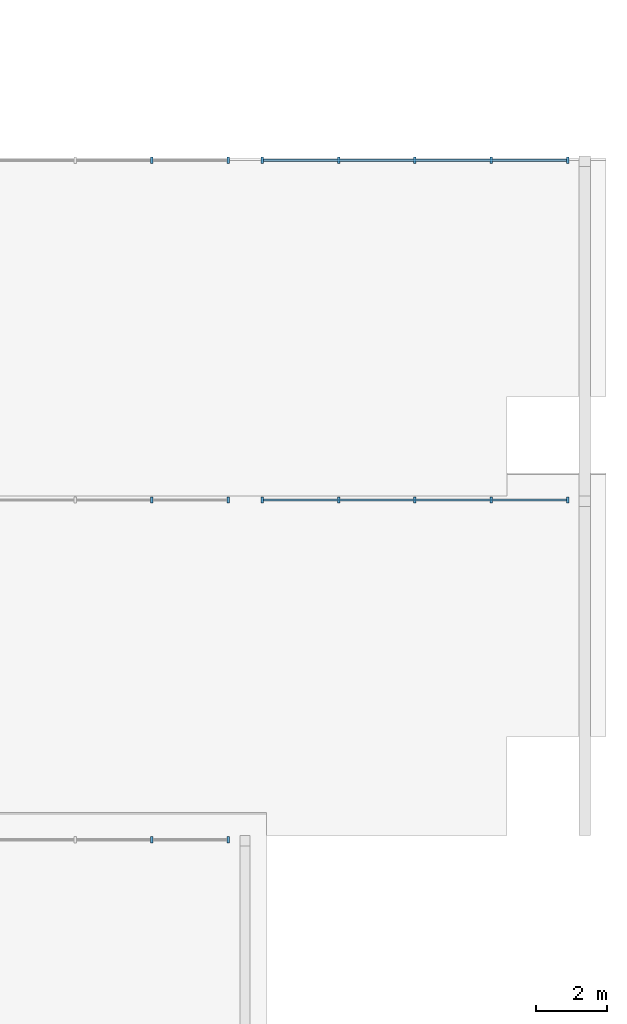
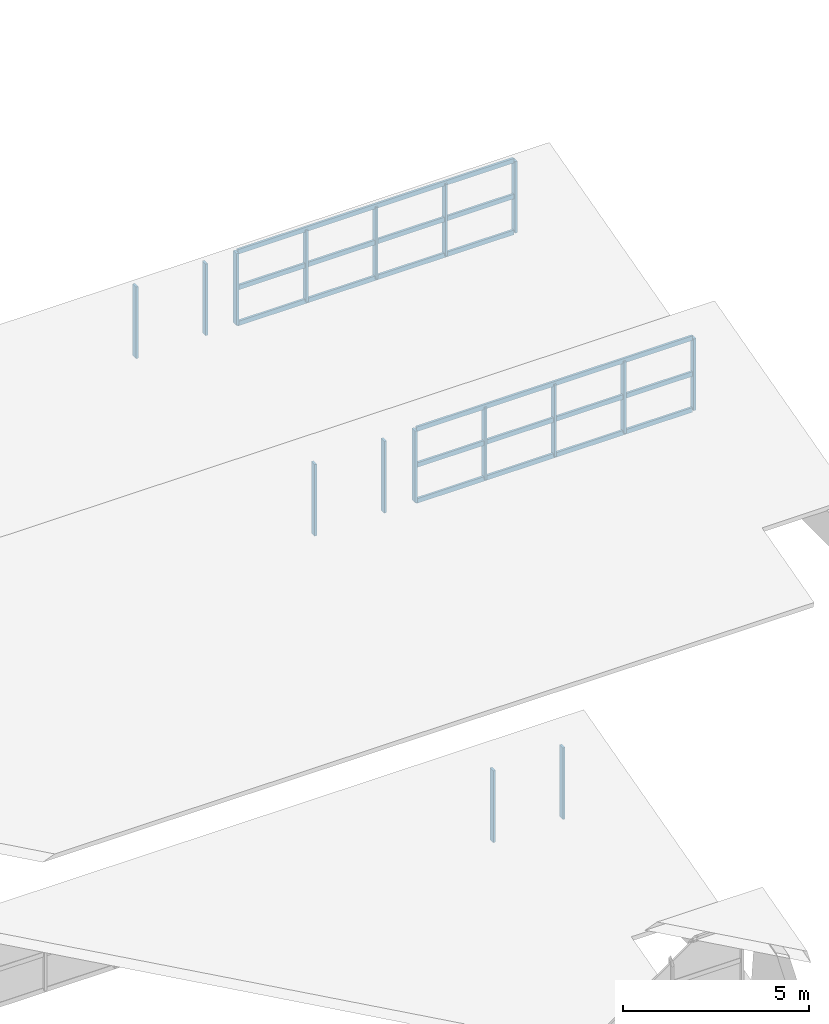
# One storey, part 9 of 18: 22 members, 5 elements without a shape of their own.
"""IFC4 building model written with IfcOpenShell, lengths in metres."""

from ifc_helpers import new_model, si_unit, direction, frame, origin, origin_2d, place, context, subcontext, project, spatial, rectangle, extrude, material, layer, layer_set, material_profile, profile_set, type_object, element, aggregate, save


model = new_model("IFC4")

# Units and contexts
model_context = context("Model", 3, precision=1e-05, world=origin(), true_north=direction((0.0, 1.0)))
body_context = subcontext(model_context, "Body", "Model", "MODEL_VIEW")
ifc_project = project(units=[si_unit("LENGTHUNIT", "METRE"), si_unit("AREAUNIT", "SQUARE_METRE"), si_unit("VOLUMEUNIT", "CUBIC_METRE"), si_unit("PLANEANGLEUNIT", "RADIAN"), si_unit("MASSUNIT", "GRAM", prefix="KILO")], contexts=[model_context])

# Site, building, storey
site_placement = place(None, origin())
site = spatial("IfcSite", under=ifc_project, at=site_placement, CompositionType="ELEMENT")
building_placement = place(site_placement, origin())
building = spatial("IfcBuilding", under=site, at=building_placement, Name="Bempovik Park Faculty of Sciences", CompositionType="ELEMENT")
storey_placement = place(building_placement, frame((0.0, 0.0, 50.10009765625)))
storey = spatial("IfcBuildingStorey", under=building, at=storey_placement, Name="Roof", CompositionType="ELEMENT", Elevation=50.10009765625)

# Curtain wall, members
ifc_material_1 = material(Name="Tempered laminated low-E glass", Category="glass")
ifc_layer_1 = layer(ifc_material_1, 0.159912109375)
ifc_layer_set_1 = layer_set([ifc_layer_1], Name="Tempered laminated low-E glass")
curtain_wall_type_1 = type_object("IfcCurtainWallType", Name="CW-17 Curtain 7200x2550", PredefinedType="USERDEFINED", material=ifc_layer_set_1)
curtain_wall_1_placement = place(storey_placement, origin())
curtain_wall_1 = element("IfcCurtainWall", 1, at=curtain_wall_1_placement, inside=storey, type_object=curtain_wall_type_1, Name="V1 Sawtooth North-Light Clerestory Bay 5 (108.0-117.6)", ObjectType="NORTH LIGHT CLERESTORY", PredefinedType="USERDEFINED")
ifc_material_2 = material(Name="Anodised aluminium", Category="aluminium")
ifc_material_profile_1 = material_profile(ifc_material_2, rectangle(XDim=0.070068359375, YDim=0.179931640625, at=origin_2d()), Name="ALU-M 70x180")
ifc_profile_set_1 = profile_set([ifc_material_profile_1], Name="Anodised aluminium")
member_type_1 = type_object("IfcMemberType", Name="ML-26 ALU-M 70x180", PredefinedType="MULLION", material=ifc_profile_set_1)
member_1_placement = place(storey_placement, frame((114.9599609375, 67.679931640625, -30.2001953125), z_axis=(0.0, 0.0, 1.0), x_axis=(1.0, 0.0, 0.0)))
member_1 = element("IfcMember", 2, at=member_1_placement, type_object=member_type_1, Name="CW-NL-V1-B5-1080 Mullion 3", PredefinedType="MULLION", context=body_context, shape_type="SweptSolid", body=[
    extrude(rectangle(XDim=0.070068359375, YDim=0.179931640625, at=origin_2d()), origin(), (0.0, 0.0, 1.0), 2.352294921875),
])
member_2_placement = place(storey_placement, frame((117.1201171875, 67.679931640625, -30.2001953125), z_axis=(0.0, 0.0, 1.0), x_axis=(1.0, 0.0, 0.0)))
member_2 = element("IfcMember", 3, at=member_2_placement, type_object=member_type_1, Name="CW-NL-V1-B5-1080 Mullion 4", PredefinedType="MULLION", context=body_context, shape_type="SweptSolid", body=[
    extrude(rectangle(XDim=0.070068359375, YDim=0.179931640625, at=origin_2d()), origin(), (0.0, 0.0, 1.0), 2.352294921875),
])
aggregate(curtain_wall_1, [member_1, member_2])

ifc_layer_2 = layer(ifc_material_1, 0.159912109375)
ifc_layer_set_2 = layer_set([ifc_layer_2], Name="Tempered laminated low-E glass")
curtain_wall_type_2 = type_object("IfcCurtainWallType", Name="CW-15 Curtain 8000x2550", PredefinedType="USERDEFINED", material=ifc_layer_set_2)
curtain_wall_2_placement = place(storey_placement, origin())
curtain_wall_2 = element("IfcCurtainWall", 4, at=curtain_wall_2_placement, inside=storey, type_object=curtain_wall_type_2, Name="V2 Atrium Sawtooth North-Light Clerestory Bay 1 (108.0-117.6)", ObjectType="NORTH LIGHT CLERESTORY", PredefinedType="USERDEFINED")
member_3_placement = place(storey_placement, frame((114.9599609375, 77.280029296875, -25.97021484375), z_axis=(0.0, 0.0, 1.0), x_axis=(1.0, 0.0, 0.0)))
member_3 = element("IfcMember", 5, at=member_3_placement, type_object=member_type_1, Name="CW-NL-V2-B1-1080 Mullion 3", PredefinedType="MULLION", context=body_context, shape_type="SweptSolid", body=[
    extrude(rectangle(XDim=0.070068359375, YDim=0.179931640625, at=origin_2d()), origin(), (0.0, 0.0, 1.0), 2.3525390625),
])
member_4_placement = place(storey_placement, frame((117.1201171875, 77.280029296875, -25.97021484375), z_axis=(0.0, 0.0, 1.0), x_axis=(1.0, 0.0, 0.0)))
member_4 = element("IfcMember", 6, at=member_4_placement, type_object=member_type_1, Name="CW-NL-V2-B1-1080 Mullion 4", PredefinedType="MULLION", context=body_context, shape_type="SweptSolid", body=[
    extrude(rectangle(XDim=0.070068359375, YDim=0.179931640625, at=origin_2d()), origin(), (0.0, 0.0, 1.0), 2.3525390625),
])
aggregate(curtain_wall_2, [member_3, member_4])

ifc_layer_3 = layer(ifc_material_1, 0.159912109375)
ifc_layer_set_3 = layer_set([ifc_layer_3], Name="Tempered laminated low-E glass")
curtain_wall_type_3 = type_object("IfcCurtainWallType", Name="CW-29 Curtain 6400x2550", PredefinedType="USERDEFINED", material=ifc_layer_set_3)
curtain_wall_3_placement = place(storey_placement, origin())
curtain_wall_3 = element("IfcCurtainWall", 7, at=curtain_wall_3_placement, inside=storey, type_object=curtain_wall_type_3, Name="V2 Atrium Sawtooth North-Light Clerestory Bay 1 (117.6-127.2)", ObjectType="NORTH LIGHT CLERESTORY", PredefinedType="USERDEFINED")
member_5_placement = place(storey_placement, frame((118.080078125, 77.280029296875, -25.97021484375), z_axis=(0.0, 0.0, 1.0), x_axis=(1.0, 0.0, 0.0)))
member_5 = element("IfcMember", 8, at=member_5_placement, type_object=member_type_1, Name="CW-NL-V2-B1-1176 Mullion 0", PredefinedType="MULLION", context=body_context, shape_type="SweptSolid", body=[
    extrude(rectangle(XDim=0.070068359375, YDim=0.179931640625, at=origin_2d()), origin(), (0.0, 0.0, 1.0), 2.3525390625),
])
member_6_placement = place(storey_placement, frame((120.239990234375, 77.280029296875, -25.97021484375), z_axis=(0.0, 0.0, 1.0), x_axis=(1.0, 0.0, 0.0)))
member_6 = element("IfcMember", 9, at=member_6_placement, type_object=member_type_1, Name="CW-NL-V2-B1-1176 Mullion 1", PredefinedType="MULLION", context=body_context, shape_type="SweptSolid", body=[
    extrude(rectangle(XDim=0.070068359375, YDim=0.179931640625, at=origin_2d()), origin(), (0.0, 0.0, 1.0), 2.3525390625),
])
member_7_placement = place(storey_placement, frame((122.39990234375, 77.280029296875, -25.97021484375), z_axis=(0.0, 0.0, 1.0), x_axis=(1.0, 0.0, 0.0)))
member_7 = element("IfcMember", 10, at=member_7_placement, type_object=member_type_1, Name="CW-NL-V2-B1-1176 Mullion 2", PredefinedType="MULLION", context=body_context, shape_type="SweptSolid", body=[
    extrude(rectangle(XDim=0.070068359375, YDim=0.179931640625, at=origin_2d()), origin(), (0.0, 0.0, 1.0), 2.3525390625),
])
member_8_placement = place(storey_placement, frame((124.56005859375, 77.280029296875, -25.97021484375), z_axis=(0.0, 0.0, 1.0), x_axis=(1.0, 0.0, 0.0)))
member_8 = element("IfcMember", 11, at=member_8_placement, type_object=member_type_1, Name="CW-NL-V2-B1-1176 Mullion 3", PredefinedType="MULLION", context=body_context, shape_type="SweptSolid", body=[
    extrude(rectangle(XDim=0.070068359375, YDim=0.179931640625, at=origin_2d()), origin(), (0.0, 0.0, 1.0), 2.3525390625),
])
member_9_placement = place(storey_placement, frame((126.719970703125, 77.280029296875, -25.97021484375), z_axis=(0.0, 0.0, 1.0), x_axis=(1.0, 0.0, 0.0)))
member_9 = element("IfcMember", 12, at=member_9_placement, type_object=member_type_1, Name="CW-NL-V2-B1-1176 Mullion 4", PredefinedType="MULLION", context=body_context, shape_type="SweptSolid", body=[
    extrude(rectangle(XDim=0.070068359375, YDim=0.179931640625, at=origin_2d()), origin(), (0.0, 0.0, 1.0), 2.3525390625),
])

curtain_wall_4_placement = place(storey_placement, origin())
curtain_wall_4 = element("IfcCurtainWall", 13, at=curtain_wall_4_placement, inside=storey, type_object=curtain_wall_type_2, Name="V2 Atrium Sawtooth North-Light Clerestory Bay 2 (108.0-117.6)", ObjectType="NORTH LIGHT CLERESTORY", PredefinedType="USERDEFINED")
member_10_placement = place(storey_placement, frame((114.9599609375, 86.8798828125, -25.97021484375), z_axis=(0.0, 0.0, 1.0), x_axis=(1.0, 0.0, 0.0)))
member_10 = element("IfcMember", 14, at=member_10_placement, type_object=member_type_1, Name="CW-NL-V2-B2-1080 Mullion 3", PredefinedType="MULLION", context=body_context, shape_type="SweptSolid", body=[
    extrude(rectangle(XDim=0.070068359375, YDim=0.179931640625, at=origin_2d()), origin(), (0.0, 0.0, 1.0), 2.3525390625),
])
member_11_placement = place(storey_placement, frame((117.1201171875, 86.8798828125, -25.97021484375), z_axis=(0.0, 0.0, 1.0), x_axis=(1.0, 0.0, 0.0)))
member_11 = element("IfcMember", 15, at=member_11_placement, type_object=member_type_1, Name="CW-NL-V2-B2-1080 Mullion 4", PredefinedType="MULLION", context=body_context, shape_type="SweptSolid", body=[
    extrude(rectangle(XDim=0.070068359375, YDim=0.179931640625, at=origin_2d()), origin(), (0.0, 0.0, 1.0), 2.3525390625),
])
aggregate(curtain_wall_4, [member_10, member_11])

curtain_wall_5_placement = place(storey_placement, origin())
curtain_wall_5 = element("IfcCurtainWall", 16, at=curtain_wall_5_placement, inside=storey, type_object=curtain_wall_type_3, Name="V2 Atrium Sawtooth North-Light Clerestory Bay 2 (117.6-127.2)", ObjectType="NORTH LIGHT CLERESTORY", PredefinedType="USERDEFINED")
member_12_placement = place(storey_placement, frame((118.080078125, 86.8798828125, -25.97021484375), z_axis=(0.0, 0.0, 1.0), x_axis=(1.0, 0.0, 0.0)))
member_12 = element("IfcMember", 17, at=member_12_placement, type_object=member_type_1, Name="CW-NL-V2-B2-1176 Mullion 0", PredefinedType="MULLION", context=body_context, shape_type="SweptSolid", body=[
    extrude(rectangle(XDim=0.070068359375, YDim=0.179931640625, at=origin_2d()), origin(), (0.0, 0.0, 1.0), 2.3525390625),
])
member_13_placement = place(storey_placement, frame((120.239990234375, 86.8798828125, -25.97021484375), z_axis=(0.0, 0.0, 1.0), x_axis=(1.0, 0.0, 0.0)))
member_13 = element("IfcMember", 18, at=member_13_placement, type_object=member_type_1, Name="CW-NL-V2-B2-1176 Mullion 1", PredefinedType="MULLION", context=body_context, shape_type="SweptSolid", body=[
    extrude(rectangle(XDim=0.070068359375, YDim=0.179931640625, at=origin_2d()), origin(), (0.0, 0.0, 1.0), 2.3525390625),
])
member_14_placement = place(storey_placement, frame((122.39990234375, 86.8798828125, -25.97021484375), z_axis=(0.0, 0.0, 1.0), x_axis=(1.0, 0.0, 0.0)))
member_14 = element("IfcMember", 19, at=member_14_placement, type_object=member_type_1, Name="CW-NL-V2-B2-1176 Mullion 2", PredefinedType="MULLION", context=body_context, shape_type="SweptSolid", body=[
    extrude(rectangle(XDim=0.070068359375, YDim=0.179931640625, at=origin_2d()), origin(), (0.0, 0.0, 1.0), 2.3525390625),
])
member_15_placement = place(storey_placement, frame((124.56005859375, 86.8798828125, -25.97021484375), z_axis=(0.0, 0.0, 1.0), x_axis=(1.0, 0.0, 0.0)))
member_15 = element("IfcMember", 20, at=member_15_placement, type_object=member_type_1, Name="CW-NL-V2-B2-1176 Mullion 3", PredefinedType="MULLION", context=body_context, shape_type="SweptSolid", body=[
    extrude(rectangle(XDim=0.070068359375, YDim=0.179931640625, at=origin_2d()), origin(), (0.0, 0.0, 1.0), 2.3525390625),
])
member_16_placement = place(storey_placement, frame((126.719970703125, 86.8798828125, -25.97021484375), z_axis=(0.0, 0.0, 1.0), x_axis=(1.0, 0.0, 0.0)))
member_16 = element("IfcMember", 21, at=member_16_placement, type_object=member_type_1, Name="CW-NL-V2-B2-1176 Mullion 4", PredefinedType="MULLION", context=body_context, shape_type="SweptSolid", body=[
    extrude(rectangle(XDim=0.070068359375, YDim=0.179931640625, at=origin_2d()), origin(), (0.0, 0.0, 1.0), 2.3525390625),
])

# Member
ifc_material_profile_2 = material_profile(ifc_material_2, rectangle(XDim=0.070068359375, YDim=0.14990234375, at=origin_2d()), Name="ALU-T 70x150")
ifc_profile_set_2 = profile_set([ifc_material_profile_2], Name="Anodised aluminium")
member_type_2 = type_object("IfcMemberType", Name="TR-21 ALU-T 70x150", PredefinedType="USERDEFINED", material=ifc_profile_set_2)
member_17_placement = place(storey_placement, frame((118.1201171875, 77.280029296875, -25.97021484375), z_axis=(1.0, 0.0, 0.0), x_axis=(0.0, 1.0, 0.0)))
member_17 = element("IfcMember", 22, at=member_17_placement, type_object=member_type_2, Name="CW-NL-V2-B1-1176 Transom 0", ObjectType="TRANSOM", PredefinedType="USERDEFINED", context=body_context, shape_type="SweptSolid", body=[
    extrude(rectangle(XDim=0.070068359375, YDim=0.14990234375, at=origin_2d()), origin(), (0.0, 0.0, 1.0), 8.559814453125),
])

member_18_placement = place(storey_placement, frame((118.1201171875, 77.280029296875, -24.7939453125), z_axis=(1.0, 0.0, 0.0), x_axis=(0.0, 1.0, 0.0)))
member_18 = element("IfcMember", 23, at=member_18_placement, type_object=member_type_2, Name="CW-NL-V2-B1-1176 Transom 1", ObjectType="TRANSOM", PredefinedType="USERDEFINED", context=body_context, shape_type="SweptSolid", body=[
    extrude(rectangle(XDim=0.070068359375, YDim=0.14990234375, at=origin_2d()), origin(), (0.0, 0.0, 1.0), 8.559814453125),
])

member_19_placement = place(storey_placement, frame((118.1201171875, 77.280029296875, -23.61767578125), z_axis=(1.0, 0.0, 0.0), x_axis=(0.0, 1.0, 0.0)))
member_19 = element("IfcMember", 24, at=member_19_placement, type_object=member_type_2, Name="CW-NL-V2-B1-1176 Transom 2", ObjectType="TRANSOM", PredefinedType="USERDEFINED", context=body_context, shape_type="SweptSolid", body=[
    extrude(rectangle(XDim=0.070068359375, YDim=0.14990234375, at=origin_2d()), origin(), (0.0, 0.0, 1.0), 8.559814453125),
])

aggregate(curtain_wall_3, [member_5, member_6, member_7, member_8, member_9, member_17, member_18, member_19])

member_20_placement = place(storey_placement, frame((118.1201171875, 86.8798828125, -25.97021484375), z_axis=(1.0, 0.0, 0.0), x_axis=(0.0, 1.0, 0.0)))
member_20 = element("IfcMember", 25, at=member_20_placement, type_object=member_type_2, Name="CW-NL-V2-B2-1176 Transom 0", ObjectType="TRANSOM", PredefinedType="USERDEFINED", context=body_context, shape_type="SweptSolid", body=[
    extrude(rectangle(XDim=0.070068359375, YDim=0.14990234375, at=origin_2d()), origin(), (0.0, 0.0, 1.0), 8.559814453125),
])

member_21_placement = place(storey_placement, frame((118.1201171875, 86.8798828125, -24.7939453125), z_axis=(1.0, 0.0, 0.0), x_axis=(0.0, 1.0, 0.0)))
member_21 = element("IfcMember", 26, at=member_21_placement, type_object=member_type_2, Name="CW-NL-V2-B2-1176 Transom 1", ObjectType="TRANSOM", PredefinedType="USERDEFINED", context=body_context, shape_type="SweptSolid", body=[
    extrude(rectangle(XDim=0.070068359375, YDim=0.14990234375, at=origin_2d()), origin(), (0.0, 0.0, 1.0), 8.559814453125),
])

member_22_placement = place(storey_placement, frame((118.1201171875, 86.8798828125, -23.61767578125), z_axis=(1.0, 0.0, 0.0), x_axis=(0.0, 1.0, 0.0)))
member_22 = element("IfcMember", 27, at=member_22_placement, type_object=member_type_2, Name="CW-NL-V2-B2-1176 Transom 2", ObjectType="TRANSOM", PredefinedType="USERDEFINED", context=body_context, shape_type="SweptSolid", body=[
    extrude(rectangle(XDim=0.070068359375, YDim=0.14990234375, at=origin_2d()), origin(), (0.0, 0.0, 1.0), 8.559814453125),
])

aggregate(curtain_wall_5, [member_12, member_13, member_14, member_15, member_16, member_20, member_21, member_22])

save(model, "model.ifc")
